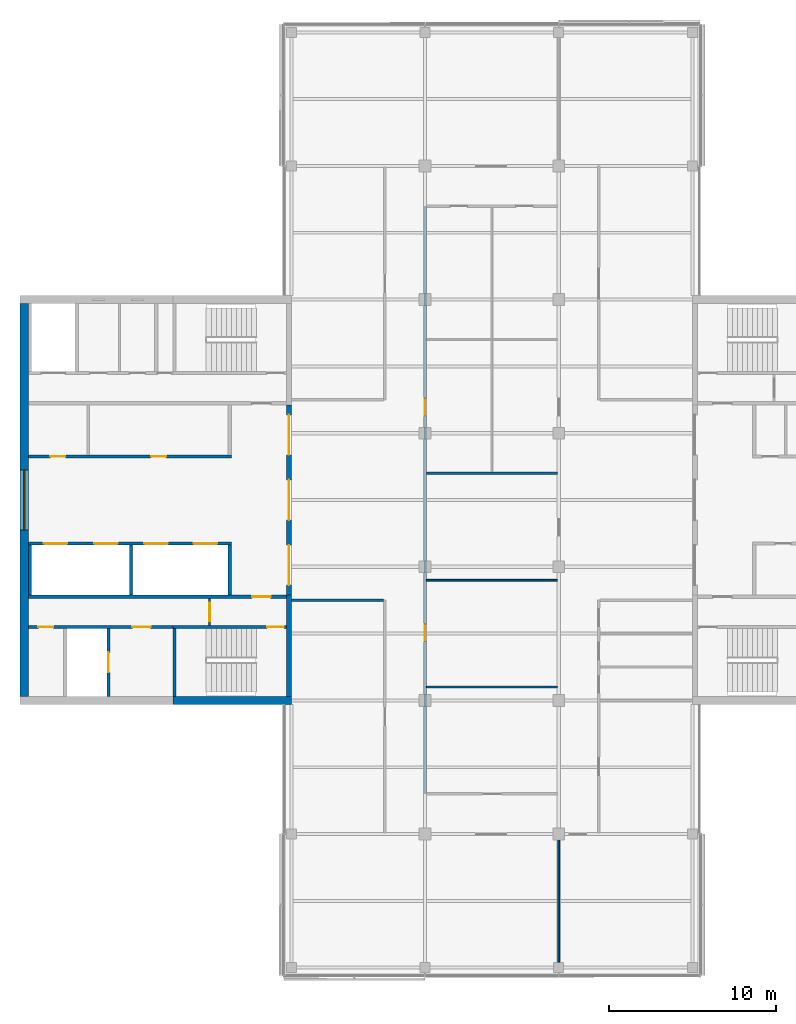
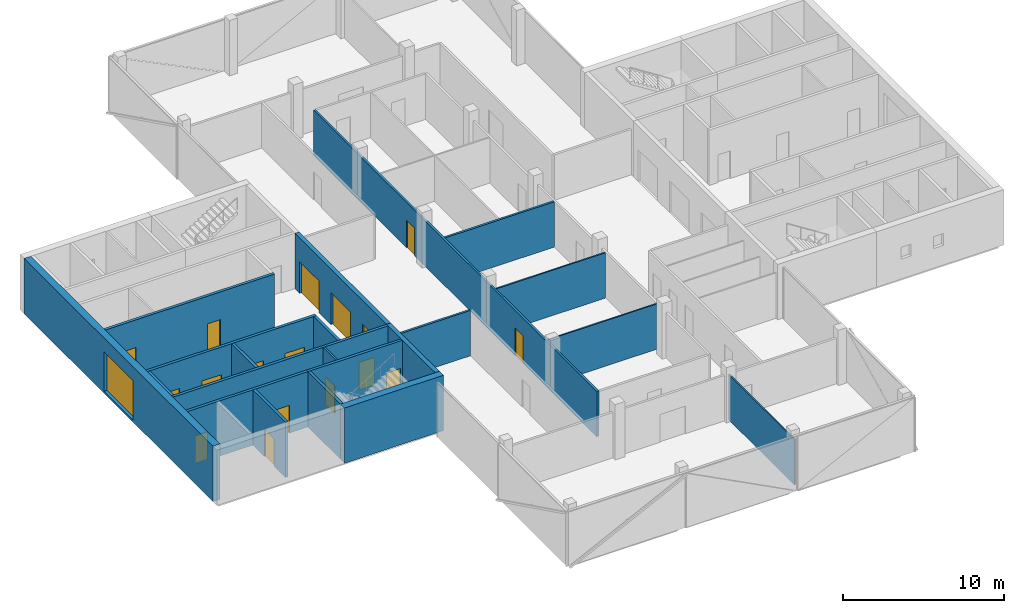
# One storey, part 9 of 15: 21 walls, 17 doors, 1 window, 18 openings.
"""IFC4 building model written with IfcOpenShell, lengths in metres."""

from ifc_helpers import new_model, si_unit, direction, frame, frame_2d, origin, place, context, subcontext, project, spatial, rectangle, extrude, material, layer, layer_set, constituent, constituent_set, type_object, element, fill, save


model = new_model("IFC4")

# Units and contexts
model_context = context("Model", 3, precision=1e-05, world=origin(), true_north=direction((0.0, 1.0)))
body_context = subcontext(model_context, "Body", "Model", "MODEL_VIEW")
ifc_project = project(units=[si_unit("LENGTHUNIT", "METRE"), si_unit("AREAUNIT", "SQUARE_METRE"), si_unit("VOLUMEUNIT", "CUBIC_METRE"), si_unit("PLANEANGLEUNIT", "RADIAN"), si_unit("MASSUNIT", "GRAM", prefix="KILO")], contexts=[model_context])

# Site, building, storey
site_placement = place(None, origin())
site = spatial("IfcSite", under=ifc_project, at=site_placement, CompositionType="ELEMENT")
building_placement = place(site_placement, origin())
building = spatial("IfcBuilding", under=site, at=building_placement, Name="Crosswind Convention Tower", CompositionType="ELEMENT")
storey_placement = place(building_placement, frame((0.0, 0.0, 261.89990234375)))
storey = spatial("IfcBuildingStorey", under=building, at=storey_placement, Name="L56", CompositionType="ELEMENT", Elevation=261.89990234375)

# Wall, openings, doors
ifc_material_1 = material(Name="Concrete C50/60", Category="concrete")
ifc_layer_1 = layer(ifc_material_1, 0.300048828125)
ifc_layer_set_1 = layer_set([ifc_layer_1], Name="Concrete C50/60")
wall_type_1 = type_object("IfcWallType", Name="Concrete inner core wall 300", PredefinedType="SHEAR", material=ifc_layer_set_1)
wall_1_placement = place(storey_placement, frame((112.85009765625, 105.699951171875, 0.0), z_axis=(0.0, 0.0, 1.0), x_axis=(0.0, -1.0, 0.0)))
wall_1 = element("IfcWall", 1, at=wall_1_placement, inside=storey, type_object=wall_type_1, Name="Wall SCR W L56", PredefinedType="SHEAR", context=body_context, shape_type="SweptSolid", body=[
    extrude(rectangle(XDim=11.39990234375, YDim=0.300048828125, at=frame_2d((5.699951171875, 0.0))), origin(), (0.0, 0.0, 1.0), 4.2001953125),
])
opening_1_placement = place(wall_1_placement, frame((0.60009765625, 0.0, 0.0)))
opening_1 = element("IfcOpeningElement", 2, at=opening_1_placement, cuts=wall_1, Name="Opening D100", PredefinedType="OPENING", context=body_context, shape_type="SweptSolid", body=[
    extrude(rectangle(XDim=2.39990234375, YDim=2.39990234375, at=frame_2d((1.199951171875, 1.199951171875))), frame((0.0, 0.159912109375, 0.0), z_axis=(0.0, -1.0, 0.0), x_axis=(1.0, 0.0, 0.0)), (0.0, 0.0, 1.0), 0.320068359375),
])
opening_2_placement = place(wall_1_placement, frame((4.5, 0.0, 0.0)))
opening_2 = element("IfcOpeningElement", 3, at=opening_2_placement, cuts=wall_1, Name="Opening D100", PredefinedType="OPENING", context=body_context, shape_type="SweptSolid", body=[
    extrude(rectangle(XDim=2.39990234375, YDim=2.39990234375, at=frame_2d((1.199951171875, 1.199951171875))), frame((0.0, 0.159912109375, 0.0), z_axis=(0.0, -1.0, 0.0), x_axis=(1.0, 0.0, 0.0)), (0.0, 0.0, 1.0), 0.320068359375),
])
opening_3_placement = place(wall_1_placement, frame((8.39990234375, 0.0, 0.0)))
opening_3 = element("IfcOpeningElement", 4, at=opening_3_placement, cuts=wall_1, Name="Opening D100", PredefinedType="OPENING", context=body_context, shape_type="SweptSolid", body=[
    extrude(rectangle(XDim=2.39990234375, YDim=2.39990234375, at=frame_2d((1.199951171875, 1.199951171875))), frame((0.0, 0.159912109375, 0.0), z_axis=(0.0, -1.0, 0.0), x_axis=(1.0, 0.0, 0.0)), (0.0, 0.0, 1.0), 0.320068359375),
])
ifc_material_2 = material(Name="Steel fire door with glazed vision panels", Category="steel")
door_type_1 = type_object("IfcDoorType", Name="Fire-rated double door 2400x2400", OperationType="DOUBLE_DOOR_SINGLE_SWING", PredefinedType="DOOR", material=ifc_material_2)
door_1_placement = place(opening_1_placement, origin())
door_1 = element("IfcDoor", 5, at=door_1_placement, inside=storey, type_object=door_type_1, Name="Lobby door 1 L56", ObjectType="D100", OperationType="DOUBLE_DOOR_SINGLE_SWING", OverallHeight=2.39990234375, OverallWidth=2.39990234375, PredefinedType="DOOR", context=body_context, shape_type="SweptSolid", body=[
    extrude(rectangle(XDim=2.39990234375, YDim=2.39990234375, at=frame_2d((1.199951171875, 1.199951171875))), frame((0.0, 0.02490234375, 0.0), z_axis=(0.0, -1.0, 0.0), x_axis=(1.0, 0.0, 0.0)), (0.0, 0.0, 1.0), 0.050048828125),
])
fill(opening_1, door_1)
door_2_placement = place(opening_2_placement, origin())
door_2 = element("IfcDoor", 6, at=door_2_placement, inside=storey, type_object=door_type_1, Name="Lobby door 2 L56", ObjectType="D100", OperationType="DOUBLE_DOOR_SINGLE_SWING", OverallHeight=2.39990234375, OverallWidth=2.39990234375, PredefinedType="DOOR", context=body_context, shape_type="SweptSolid", body=[
    extrude(rectangle(XDim=2.39990234375, YDim=2.39990234375, at=frame_2d((1.199951171875, 1.199951171875))), frame((0.0, 0.02490234375, 0.0), z_axis=(0.0, -1.0, 0.0), x_axis=(1.0, 0.0, 0.0)), (0.0, 0.0, 1.0), 0.050048828125),
])
fill(opening_2, door_2)
door_3_placement = place(opening_3_placement, origin())
door_3 = element("IfcDoor", 7, at=door_3_placement, inside=storey, type_object=door_type_1, Name="Lobby door 3 L56", ObjectType="D100", OperationType="DOUBLE_DOOR_SINGLE_SWING", OverallHeight=2.39990234375, OverallWidth=2.39990234375, PredefinedType="DOOR", context=body_context, shape_type="SweptSolid", body=[
    extrude(rectangle(XDim=2.39990234375, YDim=2.39990234375, at=frame_2d((1.199951171875, 1.199951171875))), frame((0.0, 0.02490234375, 0.0), z_axis=(0.0, -1.0, 0.0), x_axis=(1.0, 0.0, 0.0)), (0.0, 0.0, 1.0), 0.050048828125),
])
fill(opening_3, door_3)

# Walls
wall_2_placement = place(storey_placement, frame((112.85009765625, 94.300048828125, 0.0), z_axis=(0.0, 0.0, 1.0), x_axis=(0.0, -1.0, 0.0)))
element("IfcWall", 8, at=wall_2_placement, inside=storey, type_object=wall_type_1, Name="Wall EP W L56", PredefinedType="SHEAR", context=body_context, shape_type="SweptSolid", body=[
    extrude(rectangle(XDim=6.050048828125, YDim=0.300048828125, at=frame_2d((3.02490234375, 0.0))), origin(), (0.0, 0.0, 1.0), 4.2001953125),
])
ifc_layer_2 = layer(ifc_material_1, 0.199951171875)
ifc_layer_set_2 = layer_set([ifc_layer_2], Name="Concrete C50/60")
wall_type_2 = type_object("IfcWallType", Name="Concrete shaft and stair wall 200", PredefinedType="SHEAR", material=ifc_layer_set_2)
for number, where, z_axis, x_axis, name in (
    (9, (109.300048828125, 97.300048828125, 0.0), (0.0, 0.0, 1.0), (0.0, -1.0, 0.0), "Wall RPEND W L56"),
    (10, (103.39990234375, 97.300048828125, 0.0), (0.0, 0.0, 1.0), (0.0, -1.0, 0.0), "Wall RPSEP W L56"),
    (11, (97.35009765625, 97.300048828125, 0.0), (0.0, 0.0, 1.0), (0.0, -1.0, 0.0), "Wall RPEAST W L56"),
):
    element("IfcWall", number, at=place(storey_placement, frame(where, z_axis=z_axis, x_axis=x_axis)), inside=storey, type_object=wall_type_2, Name=name, PredefinedType="SHEAR", context=body_context, shape_type="SweptSolid", body=[
        extrude(rectangle(XDim=3.0, YDim=0.199951171875, at=frame_2d((1.5, 0.0))), origin(), (0.0, 0.0, 1.0), 4.2001953125),
    ])

# Wall, openings, doors
wall_3_placement = place(storey_placement, frame((109.39990234375, 97.39990234375, 0.0), z_axis=(0.0, 0.0, 1.0), x_axis=(-1.0, 0.0, 0.0)))
wall_3 = element("IfcWall", 12, at=wall_3_placement, inside=storey, type_object=wall_type_2, Name="Wall RPFRONT W L56", PredefinedType="SHEAR", context=body_context, shape_type="SweptSolid", body=[
    extrude(rectangle(XDim=12.14990234375, YDim=0.199951171875, at=frame_2d((6.074951171875, 0.0))), origin(), (0.0, 0.0, 1.0), 4.2001953125),
])
opening_4_placement = place(wall_3_placement, frame((0.85009765625, 0.0, 0.0)))
opening_4 = element("IfcOpeningElement", 13, at=opening_4_placement, cuts=wall_3, Name="Opening LD2", PredefinedType="OPENING", context=body_context, shape_type="SweptSolid", body=[
    extrude(rectangle(XDim=1.39990234375, YDim=2.10009765625, at=frame_2d((0.699951171875, 1.050048828125))), frame((0.0, 0.10986328125, 0.0), z_axis=(0.0, -1.0, 0.0), x_axis=(1.0, 0.0, 0.0)), (0.0, 0.0, 1.0), 0.219970703125),
])
opening_5_placement = place(wall_3_placement, frame((3.800048828125, 0.0, 0.0)))
opening_5 = element("IfcOpeningElement", 14, at=opening_5_placement, cuts=wall_3, Name="Opening LD2", PredefinedType="OPENING", context=body_context, shape_type="SweptSolid", body=[
    extrude(rectangle(XDim=1.39990234375, YDim=2.10009765625, at=frame_2d((0.699951171875, 1.050048828125))), frame((0.0, 0.10986328125, 0.0), z_axis=(0.0, -1.0, 0.0), x_axis=(1.0, 0.0, 0.0)), (0.0, 0.0, 1.0), 0.219970703125),
])
opening_6_placement = place(wall_3_placement, frame((6.800048828125, 0.0, 0.0)))
opening_6 = element("IfcOpeningElement", 15, at=opening_6_placement, cuts=wall_3, Name="Opening LD2", PredefinedType="OPENING", context=body_context, shape_type="SweptSolid", body=[
    extrude(rectangle(XDim=1.39990234375, YDim=2.10009765625, at=frame_2d((0.699951171875, 1.050048828125))), frame((0.0, 0.10986328125, 0.0), z_axis=(0.0, -1.0, 0.0), x_axis=(1.0, 0.0, 0.0)), (0.0, 0.0, 1.0), 0.219970703125),
])
opening_7_placement = place(wall_3_placement, frame((9.824951171875, 0.0, 0.0)))
opening_7 = element("IfcOpeningElement", 16, at=opening_7_placement, cuts=wall_3, Name="Opening LD2", PredefinedType="OPENING", context=body_context, shape_type="SweptSolid", body=[
    extrude(rectangle(XDim=1.39990234375, YDim=2.10009765625, at=frame_2d((0.699951171875, 1.050048828125))), frame((0.0, 0.10986328125, 0.0), z_axis=(0.0, -1.0, 0.0), x_axis=(1.0, 0.0, 0.0)), (0.0, 0.0, 1.0), 0.219970703125),
])
ifc_material_3 = material(Name="Stainless steel", Category="steel")
door_type_2 = type_object("IfcDoorType", Name="Lift landing door 1400x2100", OperationType="DOUBLE_DOOR_SLIDING", PredefinedType="DOOR", material=ifc_material_3)
door_4_placement = place(opening_4_placement, origin())
door_4 = element("IfcDoor", 17, at=door_4_placement, inside=storey, type_object=door_type_2, Name="Landing door HR1 L56", ObjectType="LD2", OperationType="DOUBLE_DOOR_SLIDING", OverallHeight=2.10009765625, OverallWidth=1.39990234375, PredefinedType="DOOR", context=body_context, shape_type="SweptSolid", body=[
    extrude(rectangle(XDim=1.39990234375, YDim=2.10009765625, at=frame_2d((0.699951171875, 1.050048828125))), frame((0.0, 0.02490234375, 0.0), z_axis=(0.0, -1.0, 0.0), x_axis=(1.0, 0.0, 0.0)), (0.0, 0.0, 1.0), 0.050048828125),
])
fill(opening_4, door_4)
door_5_placement = place(opening_5_placement, origin())
door_5 = element("IfcDoor", 18, at=door_5_placement, inside=storey, type_object=door_type_2, Name="Landing door HR2 L56", ObjectType="LD2", OperationType="DOUBLE_DOOR_SLIDING", OverallHeight=2.10009765625, OverallWidth=1.39990234375, PredefinedType="DOOR", context=body_context, shape_type="SweptSolid", body=[
    extrude(rectangle(XDim=1.39990234375, YDim=2.10009765625, at=frame_2d((0.699951171875, 1.050048828125))), frame((0.0, 0.02490234375, 0.0), z_axis=(0.0, -1.0, 0.0), x_axis=(1.0, 0.0, 0.0)), (0.0, 0.0, 1.0), 0.050048828125),
])
fill(opening_5, door_5)
door_6_placement = place(opening_6_placement, origin())
door_6 = element("IfcDoor", 19, at=door_6_placement, inside=storey, type_object=door_type_2, Name="Landing door HR3 L56", ObjectType="LD2", OperationType="DOUBLE_DOOR_SLIDING", OverallHeight=2.10009765625, OverallWidth=1.39990234375, PredefinedType="DOOR", context=body_context, shape_type="SweptSolid", body=[
    extrude(rectangle(XDim=1.39990234375, YDim=2.10009765625, at=frame_2d((0.699951171875, 1.050048828125))), frame((0.0, 0.02490234375, 0.0), z_axis=(0.0, -1.0, 0.0), x_axis=(1.0, 0.0, 0.0)), (0.0, 0.0, 1.0), 0.050048828125),
])
fill(opening_6, door_6)
door_7_placement = place(opening_7_placement, origin())
door_7 = element("IfcDoor", 20, at=door_7_placement, inside=storey, type_object=door_type_2, Name="Landing door HR4 L56", ObjectType="LD2", OperationType="DOUBLE_DOOR_SLIDING", OverallHeight=2.10009765625, OverallWidth=1.39990234375, PredefinedType="DOOR", context=body_context, shape_type="SweptSolid", body=[
    extrude(rectangle(XDim=1.39990234375, YDim=2.10009765625, at=frame_2d((0.699951171875, 1.050048828125))), frame((0.0, 0.02490234375, 0.0), z_axis=(0.0, -1.0, 0.0), x_axis=(1.0, 0.0, 0.0)), (0.0, 0.0, 1.0), 0.050048828125),
])
fill(opening_7, door_7)

wall_4_placement = place(storey_placement, frame((109.39990234375, 102.60009765625, 0.0), z_axis=(0.0, 0.0, 1.0), x_axis=(-1.0, 0.0, 0.0)))
wall_4 = element("IfcWall", 21, at=wall_4_placement, inside=storey, type_object=wall_type_2, Name="Wall RMFRONT W L56", PredefinedType="SHEAR", context=body_context, shape_type="SweptSolid", body=[
    extrude(rectangle(XDim=12.14990234375, YDim=0.199951171875, at=frame_2d((6.074951171875, 0.0))), origin(), (0.0, 0.0, 1.0), 4.2001953125),
])
opening_8_placement = place(wall_4_placement, frame((3.9013671875, 0.0, 0.0)))
opening_8 = element("IfcOpeningElement", 22, at=opening_8_placement, cuts=wall_4, Name="Opening D106", PredefinedType="OPENING", context=body_context, shape_type="SweptSolid", body=[
    extrude(rectangle(XDim=0.89990234375, YDim=2.10009765625, at=frame_2d((0.449951171875, 1.050048828125))), frame((0.0, 0.10986328125, 0.0), z_axis=(0.0, -1.0, 0.0), x_axis=(1.0, 0.0, 0.0)), (0.0, 0.0, 1.0), 0.219970703125),
])
opening_9_placement = place(wall_4_placement, frame((9.938720703125, 0.0, 0.0)))
opening_9 = element("IfcOpeningElement", 23, at=opening_9_placement, cuts=wall_4, Name="Opening D106", PredefinedType="OPENING", context=body_context, shape_type="SweptSolid", body=[
    extrude(rectangle(XDim=0.89990234375, YDim=2.10009765625, at=frame_2d((0.449951171875, 1.050048828125))), frame((0.0, 0.10986328125, 0.0), z_axis=(0.0, -1.0, 0.0), x_axis=(1.0, 0.0, 0.0)), (0.0, 0.0, 1.0), 0.219970703125),
])
ifc_material_4 = material(Name="Timber door", Category="wood")
door_type_3 = type_object("IfcDoorType", Name="Single leaf door 900x2100", OperationType="NOTDEFINED", PredefinedType="DOOR", material=ifc_material_4)
door_8_placement = place(opening_8_placement, frame((0.89990234375, 0.0, 0.0), z_axis=(0.0, 0.0, 1.0), x_axis=(-1.0, 0.0, 0.0)))
door_8 = element("IfcDoor", 24, at=door_8_placement, inside=storey, type_object=door_type_3, Name="Door to pantry L56", ObjectType="D106", OperationType="SINGLE_SWING_LEFT", OverallHeight=2.10009765625, OverallWidth=0.89990234375, PredefinedType="DOOR", context=body_context, shape_type="SweptSolid", body=[
    extrude(rectangle(XDim=0.89990234375, YDim=2.10009765625, at=frame_2d((0.449951171875, 1.050048828125))), frame((0.0, 0.02490234375, 0.0), z_axis=(0.0, -1.0, 0.0), x_axis=(1.0, 0.0, 0.0)), (0.0, 0.0, 1.0), 0.050048828125),
])
fill(opening_8, door_8)
door_9_placement = place(opening_9_placement, frame((0.89990234375, 0.0, 0.0), z_axis=(0.0, 0.0, 1.0), x_axis=(-1.0, 0.0, 0.0)))
door_9 = element("IfcDoor", 25, at=door_9_placement, inside=storey, type_object=door_type_3, Name="Door to telecoms room L56", ObjectType="D106", OperationType="SINGLE_SWING_LEFT", OverallHeight=2.10009765625, OverallWidth=0.89990234375, PredefinedType="DOOR", context=body_context, shape_type="SweptSolid", body=[
    extrude(rectangle(XDim=0.89990234375, YDim=2.10009765625, at=frame_2d((0.449951171875, 1.050048828125))), frame((0.0, 0.02490234375, 0.0), z_axis=(0.0, -1.0, 0.0), x_axis=(1.0, 0.0, 0.0)), (0.0, 0.0, 1.0), 0.050048828125),
])
fill(opening_9, door_9)

# Wall, opening, door
wall_5_placement = place(storey_placement, frame((112.699951171875, 94.199951171875, 0.0), z_axis=(0.0, 0.0, 1.0), x_axis=(-1.0, 0.0, 0.0)))
wall_5 = element("IfcWall", 26, at=wall_5_placement, inside=storey, type_object=wall_type_2, Name="Wall HP W L56", PredefinedType="SHEAR", context=body_context, shape_type="SweptSolid", body=[
    extrude(rectangle(XDim=15.449951171875, YDim=0.199951171875, at=frame_2d((7.72509765625, 0.0))), origin(), (0.0, 0.0, 1.0), 4.2001953125),
])
opening_10_placement = place(wall_5_placement, frame((0.949951171875, 0.0, 0.0)))
opening_10 = element("IfcOpeningElement", 27, at=opening_10_placement, cuts=wall_5, Name="Opening D104", PredefinedType="OPENING", context=body_context, shape_type="SweptSolid", body=[
    extrude(rectangle(XDim=1.10009765625, YDim=2.10009765625, at=frame_2d((0.550048828125, 1.050048828125))), frame((0.0, 0.10986328125, 0.0), z_axis=(0.0, -1.0, 0.0), x_axis=(1.0, 0.0, 0.0)), (0.0, 0.0, 1.0), 0.219970703125),
])
ifc_material_5 = material(Name="Steel fire door", Category="steel")
door_type_4 = type_object("IfcDoorType", Name="Fire-rated single door 1100x2100", OperationType="NOTDEFINED", PredefinedType="DOOR", material=ifc_material_5)
door_10_placement = place(opening_10_placement, origin())
door_10 = element("IfcDoor", 28, at=door_10_placement, inside=storey, type_object=door_type_4, Name="Corridor door L56", ObjectType="D104", OperationType="SINGLE_SWING_LEFT", OverallHeight=2.10009765625, OverallWidth=1.10009765625, PredefinedType="DOOR", context=body_context, shape_type="SweptSolid", body=[
    extrude(rectangle(XDim=1.10009765625, YDim=2.10009765625, at=frame_2d((0.550048828125, 1.050048828125))), frame((0.0, 0.02490234375, 0.0), z_axis=(0.0, -1.0, 0.0), x_axis=(1.0, 0.0, 0.0)), (0.0, 0.0, 1.0), 0.050048828125),
])
fill(opening_10, door_10)

# Wall
wall_6_placement = place(storey_placement, frame((106.0, 92.300048828125, 0.0), z_axis=(0.0, 0.0, 1.0), x_axis=(0.0, -1.0, 0.0)))
element("IfcWall", 29, at=wall_6_placement, inside=storey, type_object=wall_type_2, Name="Wall PSE W L56", PredefinedType="SHEAR", context=body_context, shape_type="SweptSolid", body=[
    extrude(rectangle(XDim=4.050048828125, YDim=0.199951171875, at=frame_2d((2.02490234375, 0.0))), origin(), (0.0, 0.0, 1.0), 4.2001953125),
])

# Wall, opening, door
wall_7_placement = place(storey_placement, frame((102.050048828125, 92.300048828125, 0.0), z_axis=(0.0, 0.0, 1.0), x_axis=(0.0, -1.0, 0.0)))
wall_7 = element("IfcWall", 30, at=wall_7_placement, inside=storey, type_object=wall_type_2, Name="Wall PFLW W L56", PredefinedType="SHEAR", context=body_context, shape_type="SweptSolid", body=[
    extrude(rectangle(XDim=4.050048828125, YDim=0.199951171875, at=frame_2d((2.02490234375, 0.0))), origin(), (0.0, 0.0, 1.0), 4.2001953125),
])
opening_11_placement = place(wall_7_placement, frame((1.425048828125, 0.0, 0.0)))
opening_11 = element("IfcOpeningElement", 31, at=opening_11_placement, cuts=wall_7, Name="Opening LD1", PredefinedType="OPENING", context=body_context, shape_type="SweptSolid", body=[
    extrude(rectangle(XDim=1.199951171875, YDim=2.10009765625, at=frame_2d((0.60009765625, 1.050048828125))), frame((0.0, 0.10986328125, 0.0), z_axis=(0.0, -1.0, 0.0), x_axis=(1.0, 0.0, 0.0)), (0.0, 0.0, 1.0), 0.219970703125),
])
door_type_5 = type_object("IfcDoorType", Name="Lift landing door 1200x2100", OperationType="DOUBLE_DOOR_SLIDING", PredefinedType="DOOR", material=ifc_material_3)
door_11_placement = place(opening_11_placement, origin())
door_11 = element("IfcDoor", 32, at=door_11_placement, inside=storey, type_object=door_type_5, Name="Landing door FF2 L56", ObjectType="LD1", OperationType="DOUBLE_DOOR_SLIDING", OverallHeight=2.10009765625, OverallWidth=1.199951171875, PredefinedType="DOOR", context=body_context, shape_type="SweptSolid", body=[
    extrude(rectangle(XDim=1.199951171875, YDim=2.10009765625, at=frame_2d((0.60009765625, 1.050048828125))), frame((0.0, 0.02490234375, 0.0), z_axis=(0.0, -1.0, 0.0), x_axis=(1.0, 0.0, 0.0)), (0.0, 0.0, 1.0), 0.050048828125),
])
fill(opening_11, door_11)

wall_8_placement = place(storey_placement, frame((112.699951171875, 92.39990234375, 0.0), z_axis=(0.0, 0.0, 1.0), x_axis=(-1.0, 0.0, 0.0)))
wall_8 = element("IfcWall", 33, at=wall_8_placement, inside=storey, type_object=wall_type_2, Name="Wall PCW W L56", PredefinedType="SHEAR", context=body_context, shape_type="SweptSolid", body=[
    extrude(rectangle(XDim=6.800048828125, YDim=0.199951171875, at=frame_2d((3.39990234375, 0.0))), origin(), (0.0, 0.0, 1.0), 4.2001953125),
])
opening_12_placement = place(wall_8_placement, frame((0.14990234375, 0.0, 0.0)))
opening_12 = element("IfcOpeningElement", 34, at=opening_12_placement, cuts=wall_8, Name="Opening D103", PredefinedType="OPENING", context=body_context, shape_type="SweptSolid", body=[
    extrude(rectangle(XDim=1.0, YDim=2.10009765625, at=frame_2d((0.5, 1.050048828125))), frame((0.0, 0.10986328125, 0.0), z_axis=(0.0, -1.0, 0.0), x_axis=(1.0, 0.0, 0.0)), (0.0, 0.0, 1.0), 0.219970703125),
])
door_type_6 = type_object("IfcDoorType", Name="Fire-rated single door 1000x2100", OperationType="NOTDEFINED", PredefinedType="DOOR", material=ifc_material_5)
door_12_placement = place(opening_12_placement, origin())
door_12 = element("IfcDoor", 35, at=door_12_placement, inside=storey, type_object=door_type_6, Name="Stair ST3 door L56", ObjectType="D103", OperationType="SINGLE_SWING_LEFT", OverallHeight=2.10009765625, OverallWidth=1.0, PredefinedType="DOOR", context=body_context, shape_type="SweptSolid", body=[
    extrude(rectangle(XDim=1.0, YDim=2.10009765625, at=frame_2d((0.5, 1.050048828125))), frame((0.0, 0.02490234375, 0.0), z_axis=(0.0, -1.0, 0.0), x_axis=(1.0, 0.0, 0.0)), (0.0, 0.0, 1.0), 0.050048828125),
])
fill(opening_12, door_12)

# Wall, openings, doors
wall_9_placement = place(storey_placement, frame((105.89990234375, 92.39990234375, 0.0), z_axis=(0.0, 0.0, 1.0), x_axis=(-1.0, 0.0, 0.0)))
wall_9 = element("IfcWall", 36, at=wall_9_placement, inside=storey, type_object=wall_type_2, Name="Wall PCX W L56", PredefinedType="SHEAR", context=body_context, shape_type="SweptSolid", body=[
    extrude(rectangle(XDim=8.64990234375, YDim=0.199951171875, at=frame_2d((4.324951171875, 0.0))), origin(), (0.0, 0.0, 1.0), 4.2001953125),
])
opening_13_placement = place(wall_9_placement, frame((1.324951171875, 0.0, 0.0)))
opening_13 = element("IfcOpeningElement", 37, at=opening_13_placement, cuts=wall_9, Name="Opening D104", PredefinedType="OPENING", context=body_context, shape_type="SweptSolid", body=[
    extrude(rectangle(XDim=1.10009765625, YDim=2.10009765625, at=frame_2d((0.550048828125, 1.050048828125))), frame((0.0, 0.10986328125, 0.0), z_axis=(0.0, -1.0, 0.0), x_axis=(1.0, 0.0, 0.0)), (0.0, 0.0, 1.0), 0.219970703125),
])
opening_14_placement = place(wall_9_placement, frame((7.14990234375, 0.0, 0.0)))
opening_14 = element("IfcOpeningElement", 38, at=opening_14_placement, cuts=wall_9, Name="Opening D106", PredefinedType="OPENING", context=body_context, shape_type="SweptSolid", body=[
    extrude(rectangle(XDim=0.89990234375, YDim=2.10009765625, at=frame_2d((0.449951171875, 1.050048828125))), frame((0.0, 0.10986328125, 0.0), z_axis=(0.0, -1.0, 0.0), x_axis=(1.0, 0.0, 0.0)), (0.0, 0.0, 1.0), 0.219970703125),
])
door_13_placement = place(opening_13_placement, origin())
door_13 = element("IfcDoor", 39, at=door_13_placement, inside=storey, type_object=door_type_4, Name="Fire-fighting lobby FF2 door L56", ObjectType="D104", OperationType="SINGLE_SWING_RIGHT", OverallHeight=2.10009765625, OverallWidth=1.10009765625, PredefinedType="DOOR", context=body_context, shape_type="SweptSolid", body=[
    extrude(rectangle(XDim=1.10009765625, YDim=2.10009765625, at=frame_2d((0.550048828125, 1.050048828125))), frame((0.0, 0.02490234375, 0.0), z_axis=(0.0, -1.0, 0.0), x_axis=(1.0, 0.0, 0.0)), (0.0, 0.0, 1.0), 0.050048828125),
])
fill(opening_13, door_13)
door_14_placement = place(opening_14_placement, origin())
door_14 = element("IfcDoor", 40, at=door_14_placement, inside=storey, type_object=door_type_3, Name="Door to cleaners' store L56", ObjectType="D106", OperationType="SINGLE_SWING_RIGHT", OverallHeight=2.10009765625, OverallWidth=0.89990234375, PredefinedType="DOOR", context=body_context, shape_type="SweptSolid", body=[
    extrude(rectangle(XDim=0.89990234375, YDim=2.10009765625, at=frame_2d((0.449951171875, 1.050048828125))), frame((0.0, 0.02490234375, 0.0), z_axis=(0.0, -1.0, 0.0), x_axis=(1.0, 0.0, 0.0)), (0.0, 0.0, 1.0), 0.050048828125),
])
fill(opening_14, door_14)

# Wall, opening, door
ifc_material_6 = material(Name="Gypsum plasterboard partition", Category="gypsum")
ifc_layer_3 = layer(ifc_material_6, 0.125)
ifc_layer_set_3 = layer_set([ifc_layer_3], Name="Drywall partition wall 125")
wall_type_3 = type_object("IfcWallType", Name="Drywall partition wall 125", PredefinedType="PARTITIONING", material=ifc_layer_set_3)
wall_10_placement = place(storey_placement, frame((108.10009765625, 94.10009765625, 0.0), z_axis=(0.0, 0.0, 1.0), x_axis=(0.0, -1.0, 0.0)))
wall_10 = element("IfcWall", 41, at=wall_10_placement, inside=storey, type_object=wall_type_3, Name="Wall PXC1 W L56", PredefinedType="PARTITIONING", context=body_context, shape_type="SweptSolid", body=[
    extrude(rectangle(XDim=1.60009765625, YDim=0.125, at=frame_2d((0.800048828125, 0.0))), origin(), (0.0, 0.0, 1.0), 4.2001953125),
])
opening_15_placement = place(wall_10_placement, frame((0.25, 0.0, 0.0)))
opening_15 = element("IfcOpeningElement", 42, at=opening_15_placement, cuts=wall_10, Name="Opening D104", PredefinedType="OPENING", context=body_context, shape_type="SweptSolid", body=[
    extrude(rectangle(XDim=1.10009765625, YDim=2.10009765625, at=frame_2d((0.550048828125, 1.050048828125))), frame((0.0, 0.072509765625, 0.0), z_axis=(0.0, -1.0, 0.0), x_axis=(1.0, 0.0, 0.0)), (0.0, 0.0, 1.0), 0.14501953125),
])
door_15_placement = place(opening_15_placement, origin())
door_15 = element("IfcDoor", 43, at=door_15_placement, inside=storey, type_object=door_type_4, Name="Corridor smoke door L56", ObjectType="D104", OperationType="SINGLE_SWING_RIGHT", OverallHeight=2.10009765625, OverallWidth=1.10009765625, PredefinedType="DOOR", context=body_context, shape_type="SweptSolid", body=[
    extrude(rectangle(XDim=1.10009765625, YDim=2.10009765625, at=frame_2d((0.550048828125, 1.050048828125))), frame((0.0, 0.02490234375, 0.0), z_axis=(0.0, -1.0, 0.0), x_axis=(1.0, 0.0, 0.0)), (0.0, 0.0, 1.0), 0.050048828125),
])
fill(opening_15, door_15)

# Walls
ifc_material_7 = material(Name="Plasterboard partition", Category="gypsum")
ifc_layer_4 = layer(ifc_material_7, 0.10009765625)
ifc_layer_set_4 = layer_set([ifc_layer_4], Name="PARTITION 100 METAL STUD")
wall_type_4 = type_object("IfcWallType", Name="PARTITION 100 METAL STUD", PredefinedType="PARTITIONING", material=ifc_layer_set_4)
wall_11_placement = place(storey_placement, frame((129.0, 71.72998046875, 0.0), z_axis=(0.0, 0.0, 1.0), x_axis=(0.0, 1.0, 0.0)))
element("IfcWall", 44, at=wall_11_placement, inside=storey, type_object=wall_type_4, Name="Partition wall WT40", PredefinedType="PARTITIONING", context=body_context, shape_type="SweptSolid", body=[
    extrude(rectangle(XDim=8.195068359375, YDim=0.10009765625, at=frame_2d((4.09765625, 0.0))), origin(), (0.0, 0.0, 1.0), 3.44287109375),
])
for number, where, z_axis, x_axis, name in (
    (45, (121.074951171875, 88.800048828125, 0.0), (0.0, 0.0, 1.0), (1.0, 0.0, 0.0), "Partition wall WT40"),
    (46, (121.074951171875, 95.199951171875, 0.0), (0.0, 0.0, 1.0), (1.0, 0.0, 0.0), "Partition wall WT40"),
):
    element("IfcWall", number, at=place(storey_placement, frame(where, z_axis=z_axis, x_axis=x_axis)), inside=storey, type_object=wall_type_4, Name=name, PredefinedType="PARTITIONING", context=body_context, shape_type="SweptSolid", body=[
        extrude(rectangle(XDim=7.85009765625, YDim=0.10009765625, at=frame_2d((3.925048828125, 0.0))), origin(), (0.0, 0.0, 1.0), 3.44287109375),
    ])

# Wall, openings, doors
ifc_material_8 = material(Name="Fire-board partition with mineral wool", Category="gypsum")
ifc_layer_5 = layer(ifc_material_8, 0.14990234375)
ifc_layer_set_5 = layer_set([ifc_layer_5], Name="TENANCY WALL 150 TWO-HOUR BOARD")
wall_type_5 = type_object("IfcWallType", Name="TENANCY WALL 150 TWO-HOUR BOARD", PredefinedType="PARTITIONING", material=ifc_layer_set_5)
wall_12_placement = place(storey_placement, frame((121.0, 82.39990234375, 0.0), z_axis=(0.0, 0.0, 1.0), x_axis=(0.0, 1.0, 0.0)))
wall_12 = element("IfcWall", 47, at=wall_12_placement, inside=storey, type_object=wall_type_5, Name="Tenancy wall WT41", PredefinedType="PARTITIONING", context=body_context, shape_type="SweptSolid", body=[
    extrude(rectangle(XDim=35.2001953125, YDim=0.14990234375, at=frame_2d((17.60009765625, 0.0))), origin(), (0.0, 0.0, 1.0), 3.44287109375),
])
opening_16_placement = place(wall_12_placement, frame((9.14990234375, 0.0, 0.0)))
opening_16 = element("IfcOpeningElement", 48, at=opening_16_placement, cuts=wall_12, Name="Opening L56-61", PredefinedType="OPENING", context=body_context, shape_type="SweptSolid", body=[
    extrude(rectangle(XDim=1.0, YDim=2.10009765625, at=frame_2d((0.5, 1.050048828125))), frame((0.0, 0.0849609375, 0.0), z_axis=(0.0, -1.0, 0.0), x_axis=(1.0, 0.0, 0.0)), (0.0, 0.0, 1.0), 0.169921875),
])
opening_17_placement = place(wall_12_placement, frame((22.64990234375, 0.0, 0.0)))
opening_17 = element("IfcOpeningElement", 49, at=opening_17_placement, cuts=wall_12, Name="Opening L56-63", PredefinedType="OPENING", context=body_context, shape_type="SweptSolid", body=[
    extrude(rectangle(XDim=1.0, YDim=2.10009765625, at=frame_2d((0.5, 1.050048828125))), frame((0.0, 0.0849609375, 0.0), z_axis=(0.0, -1.0, 0.0), x_axis=(1.0, 0.0, 0.0)), (0.0, 0.0, 1.0), 0.169921875),
])
ifc_material_9 = material(Name="Timber fire door", Category="wood")
door_type_7 = type_object("IfcDoorType", Name="TENANCY ENTRANCE DOOR 1000X2100 FD30S", OperationType="NOTDEFINED", PredefinedType="DOOR", material=ifc_material_9)
door_16_placement = place(opening_16_placement, origin())
door_16 = element("IfcDoor", 50, at=door_16_placement, inside=storey, type_object=door_type_7, Name="Door L56-61", ObjectType="D41", OperationType="SINGLE_SWING_RIGHT", OverallHeight=2.10009765625, OverallWidth=1.0, PredefinedType="DOOR", context=body_context, shape_type="SweptSolid", body=[
    extrude(rectangle(XDim=1.0, YDim=2.10009765625, at=frame_2d((0.5, 1.050048828125))), frame((0.0, 0.02490234375, 0.0), z_axis=(0.0, -1.0, 0.0), x_axis=(1.0, 0.0, 0.0)), (0.0, 0.0, 1.0), 0.050048828125),
])
fill(opening_16, door_16)
door_17_placement = place(opening_17_placement, frame((1.0, 0.0, 0.0), z_axis=(0.0, 0.0, 1.0), x_axis=(-1.0, 0.0, 0.0)))
door_17 = element("IfcDoor", 51, at=door_17_placement, inside=storey, type_object=door_type_7, Name="Door L56-63", ObjectType="D41", OperationType="SINGLE_SWING_RIGHT", OverallHeight=2.10009765625, OverallWidth=1.0, PredefinedType="DOOR", context=body_context, shape_type="SweptSolid", body=[
    extrude(rectangle(XDim=1.0, YDim=2.10009765625, at=frame_2d((0.5, 1.050048828125))), frame((0.0, 0.02490234375, 0.0), z_axis=(0.0, -1.0, 0.0), x_axis=(1.0, 0.0, 0.0)), (0.0, 0.0, 1.0), 0.050048828125),
])
fill(opening_17, door_17)

# Walls
wall_13_placement = place(storey_placement, frame((113.0, 94.0, 0.0), z_axis=(0.0, 0.0, 1.0), x_axis=(1.0, 0.0, 0.0)))
element("IfcWall", 52, at=wall_13_placement, inside=storey, type_object=wall_type_5, Name="Tenancy wall WT41", PredefinedType="PARTITIONING", context=body_context, shape_type="SweptSolid", body=[
    extrude(rectangle(XDim=5.52490234375, YDim=0.14990234375, at=frame_2d((2.762451171875, 0.0))), origin(), (0.0, 0.0, 1.0), 3.44287109375),
])
wall_14_placement = place(storey_placement, frame((121.074951171875, 101.60009765625, 0.0), z_axis=(0.0, 0.0, 1.0), x_axis=(1.0, 0.0, 0.0)))
element("IfcWall", 53, at=wall_14_placement, inside=storey, type_object=wall_type_5, Name="Tenancy wall WT41", PredefinedType="PARTITIONING", context=body_context, shape_type="SweptSolid", body=[
    extrude(rectangle(XDim=7.85009765625, YDim=0.14990234375, at=frame_2d((3.925048828125, 0.0))), origin(), (0.0, 0.0, 1.0), 3.44287109375),
])
ifc_material_10 = material(Name="Concrete C60/75", Category="concrete")
ifc_constituent_1 = constituent(ifc_material_10, Name="Structure")
ifc_material_11 = material(Name="Terracotta rainscreen", Category="ceramic")
ifc_constituent_2 = constituent(ifc_material_11, Name="Facing")
ifc_constituent_set = constituent_set(constituents=[ifc_constituent_1, ifc_constituent_2], Name="Concrete C60/75, Terracotta rainscreen")
wall_type_6 = type_object("IfcWallType", Name="Terracotta rainscreen on concrete core wall 500", PredefinedType="SHEAR", material=ifc_constituent_set)
wall_15_placement = place(storey_placement, frame((113.0, 88.0, 0.0), z_axis=(0.0, 0.0, 1.0), x_axis=(-1.0, 0.0, 0.0)))
element("IfcWall", 54, at=wall_15_placement, inside=storey, type_object=wall_type_6, Name="Wall N1 W L56", PredefinedType="SHEAR", context=body_context, shape_type="SweptSolid", body=[
    extrude(rectangle(XDim=7.10009765625, YDim=0.5, at=frame_2d((3.550048828125, 0.0))), origin(), (0.0, 0.0, 1.0), 4.2001953125),
])

# Wall, opening, window
wall_16_placement = place(storey_placement, frame((97.0, 111.75, 0.0), z_axis=(0.0, 0.0, 1.0), x_axis=(0.0, -1.0, 0.0)))
wall_16 = element("IfcWall", 55, at=wall_16_placement, inside=storey, type_object=wall_type_6, Name="Wall O W L56", PredefinedType="SHEAR", context=body_context, shape_type="SweptSolid", body=[
    extrude(rectangle(XDim=23.5, YDim=0.5, at=frame_2d((11.75, 0.0))), origin(), (0.0, 0.0, 1.0), 4.2001953125),
])
opening_18_placement = place(wall_16_placement, frame((9.949951171875, 0.0, 0.14990234375)))
opening_18 = element("IfcOpeningElement", 56, at=opening_18_placement, cuts=wall_16, Name="Opening W1", PredefinedType="OPENING", context=body_context, shape_type="SweptSolid", body=[
    extrude(rectangle(XDim=3.60009765625, YDim=3.0, at=frame_2d((1.800048828125, 1.5))), frame((0.0, 0.260009765625, 0.0), z_axis=(0.0, -1.0, 0.0), x_axis=(1.0, 0.0, 0.0)), (0.0, 0.0, 1.0), 0.52001953125),
])
ifc_material_12 = material(Name="Clear laminated glass in aluminium frame", Category="aluminium")
window_type = type_object("IfcWindowType", Name="Lobby end window 3600x3000", PartitioningType="SINGLE_PANEL", PredefinedType="WINDOW", material=ifc_material_12)
window_placement = place(opening_18_placement, origin())
window = element("IfcWindow", 57, at=window_placement, inside=storey, type_object=window_type, Name="Lobby end window L56", ObjectType="W1", OverallHeight=3.0, OverallWidth=3.60009765625, PartitioningType="SINGLE_PANEL", PredefinedType="WINDOW", context=body_context, shape_type="SweptSolid", body=[
    extrude(rectangle(XDim=3.60009765625, YDim=3.0, at=frame_2d((1.800048828125, 1.5))), frame((0.0, 0.030029296875, 0.0), z_axis=(0.0, -1.0, 0.0), x_axis=(1.0, 0.0, 0.0)), (0.0, 0.0, 1.0), 0.06005859375),
])
fill(opening_18, window)

save(model, "model.ifc")
